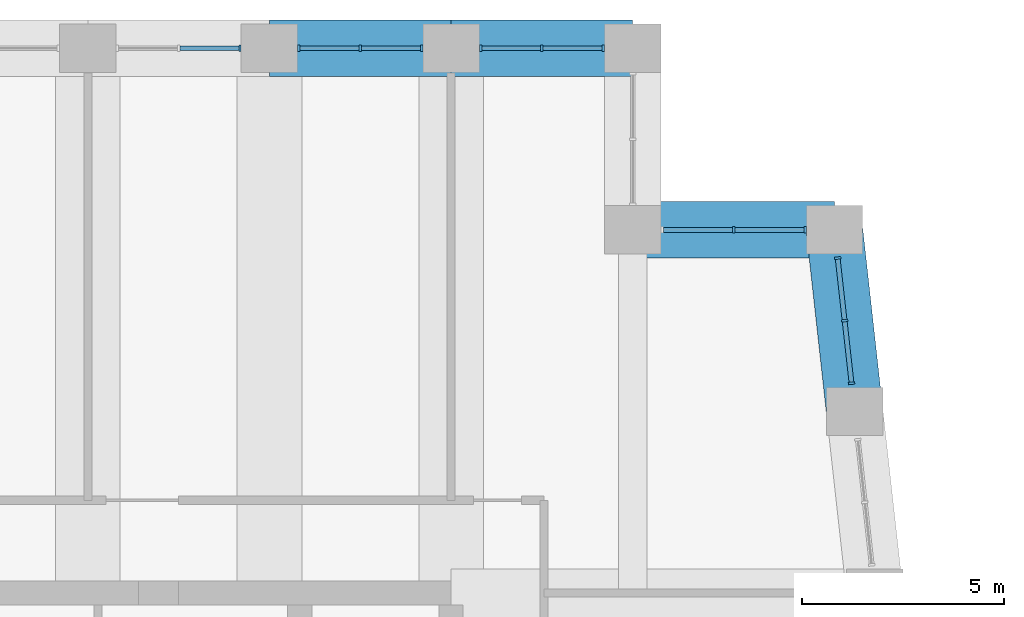
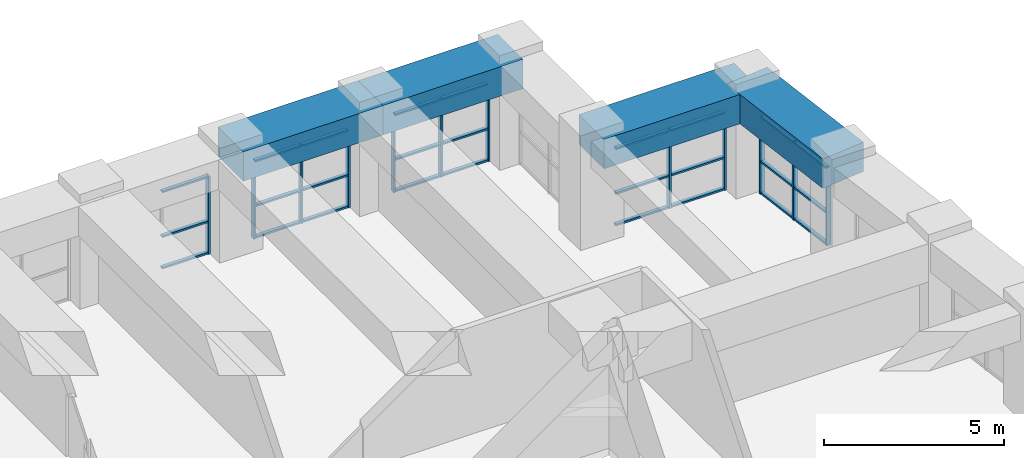
# One storey, part 9 of 15: 39 members, 4 beams, 5 elements without a shape of their own.
"""IFC4 building model written with IfcOpenShell, lengths in metres."""

from ifc_helpers import new_model, si_unit, direction, frame, origin, origin_2d, place, context, subcontext, project, spatial, rectangle, extrude, material, material_profile, profile_set, type_object, element, aggregate, save


model = new_model("IFC4")

# Units and contexts
model_context = context("Model", 3, precision=1e-05, world=origin(), true_north=direction((0.0, 1.0)))
body_context = subcontext(model_context, "Body", "Model", "MODEL_VIEW")
ifc_project = project(units=[si_unit("LENGTHUNIT", "METRE"), si_unit("AREAUNIT", "SQUARE_METRE"), si_unit("VOLUMEUNIT", "CUBIC_METRE"), si_unit("PLANEANGLEUNIT", "RADIAN"), si_unit("MASSUNIT", "GRAM", prefix="KILO")], contexts=[model_context])

# Site, building, storey
site_placement = place(None, origin())
site = spatial("IfcSite", under=ifc_project, at=site_placement, CompositionType="ELEMENT")
building_placement = place(site_placement, origin())
building = spatial("IfcBuilding", under=site, at=building_placement, Name="Kilele Tower Hotel", CompositionType="ELEMENT")
storey_placement = place(building_placement, frame((0.0, 0.0, 285.800048828125)))
storey = spatial("IfcBuildingStorey", under=building, at=storey_placement, Name="L73", CompositionType="ELEMENT", Elevation=285.800048828125)

# Curtain wall, members
ifc_material_1 = material(Name="Aluminium curtain wall, clear double glazing", Category="aluminium")
curtain_wall_type = type_object("IfcCurtainWallType", Name="Sky bar curtain wall CW-6", PredefinedType="NOTDEFINED", material=ifc_material_1)
curtain_wall_1_placement = place(storey_placement, origin())
curtain_wall_1 = element("IfcCurtainWall", 1, at=curtain_wall_1_placement, inside=storey, type_object=curtain_wall_type, Name="Sky bar curtain wall CW-6 L73", PredefinedType="NOTDEFINED")
ifc_material_2 = material(Name="Aluminium EN AW-6063 T6", Category="aluminium")
ifc_material_profile_1 = material_profile(ifc_material_2, rectangle(XDim=0.159912109375, YDim=0.06005859375, at=origin_2d()))
ifc_profile_set_1 = profile_set([ifc_material_profile_1], Name="Aluminium EN AW-6063 T6")
member_type_1 = type_object("IfcMemberType", Name="Mullion 60x160 CW-6", PredefinedType="MULLION", material=ifc_profile_set_1)
member_1_placement = place(storey_placement, frame((45.92236328125, 32.19921875, 0.0), z_axis=(0.0, 0.0, 1.0), x_axis=(-0.993883734681, -0.110431526007, 0.0)))
member_1 = element("IfcMember", 2, at=member_1_placement, type_object=member_type_1, Name="CW-6 mullion 1", PredefinedType="MULLION", context=body_context, shape_type="SweptSolid", body=[
    extrude(rectangle(XDim=0.159912109375, YDim=0.06005859375, at=origin_2d()), origin(), (0.0, 0.0, 1.0), 2.64990234375),
])
member_2_placement = place(storey_placement, frame((45.75, 33.75, 0.0), z_axis=(0.0, 0.0, 1.0), x_axis=(-0.993883734681, -0.110431526007, 0.0)))
member_2 = element("IfcMember", 3, at=member_2_placement, type_object=member_type_1, Name="CW-6 mullion 2", PredefinedType="MULLION", context=body_context, shape_type="SweptSolid", body=[
    extrude(rectangle(XDim=0.159912109375, YDim=0.06005859375, at=origin_2d()), origin(), (0.0, 0.0, 1.0), 2.64990234375),
])
member_3_placement = place(storey_placement, frame((45.57763671875, 35.30078125, 0.0), z_axis=(0.0, 0.0, 1.0), x_axis=(-0.993883734681, -0.110431526007, 0.0)))
member_3 = element("IfcMember", 4, at=member_3_placement, type_object=member_type_1, Name="CW-6 mullion 3", PredefinedType="MULLION", context=body_context, shape_type="SweptSolid", body=[
    extrude(rectangle(XDim=0.159912109375, YDim=0.06005859375, at=origin_2d()), origin(), (0.0, 0.0, 1.0), 2.64990234375),
])

curtain_wall_2_placement = place(storey_placement, origin())
curtain_wall_2 = element("IfcCurtainWall", 5, at=curtain_wall_2_placement, inside=storey, type_object=curtain_wall_type, Name="Sky bar curtain wall CW-6 L73", PredefinedType="NOTDEFINED")
member_4_placement = place(storey_placement, frame((44.77001953125, 36.0, 0.0), z_axis=(0.0, 0.0, 1.0), x_axis=(0.0, -1.0, 0.0)))
member_4 = element("IfcMember", 6, at=member_4_placement, type_object=member_type_1, Name="CW-6 mullion 1", PredefinedType="MULLION", context=body_context, shape_type="SweptSolid", body=[
    extrude(rectangle(XDim=0.159912109375, YDim=0.06005859375, at=origin_2d()), origin(), (0.0, 0.0, 1.0), 2.64990234375),
])
member_5_placement = place(storey_placement, frame((43.0, 36.0, 0.0), z_axis=(0.0, 0.0, 1.0), x_axis=(0.0, -1.0, 0.0)))
member_5 = element("IfcMember", 7, at=member_5_placement, type_object=member_type_1, Name="CW-6 mullion 2", PredefinedType="MULLION", context=body_context, shape_type="SweptSolid", body=[
    extrude(rectangle(XDim=0.159912109375, YDim=0.06005859375, at=origin_2d()), origin(), (0.0, 0.0, 1.0), 2.64990234375),
])

curtain_wall_3_placement = place(storey_placement, origin())
curtain_wall_3 = element("IfcCurtainWall", 8, at=curtain_wall_3_placement, inside=storey, type_object=curtain_wall_type, Name="Sky bar curtain wall CW-6 L73", PredefinedType="NOTDEFINED")
member_6_placement = place(storey_placement, frame((39.77001953125, 40.5, 0.0), z_axis=(0.0, 0.0, 1.0), x_axis=(0.0, -1.0, 0.0)))
member_6 = element("IfcMember", 9, at=member_6_placement, type_object=member_type_1, Name="CW-6 mullion 1", PredefinedType="MULLION", context=body_context, shape_type="SweptSolid", body=[
    extrude(rectangle(XDim=0.159912109375, YDim=0.06005859375, at=origin_2d()), origin(), (0.0, 0.0, 1.0), 2.64990234375),
])
member_7_placement = place(storey_placement, frame((38.25, 40.5, 0.0), z_axis=(0.0, 0.0, 1.0), x_axis=(0.0, -1.0, 0.0)))
member_7 = element("IfcMember", 10, at=member_7_placement, type_object=member_type_1, Name="CW-6 mullion 2", PredefinedType="MULLION", context=body_context, shape_type="SweptSolid", body=[
    extrude(rectangle(XDim=0.159912109375, YDim=0.06005859375, at=origin_2d()), origin(), (0.0, 0.0, 1.0), 2.64990234375),
])
member_8_placement = place(storey_placement, frame((36.72998046875, 40.5, 0.0), z_axis=(0.0, 0.0, 1.0), x_axis=(0.0, -1.0, 0.0)))
member_8 = element("IfcMember", 11, at=member_8_placement, type_object=member_type_1, Name="CW-6 mullion 3", PredefinedType="MULLION", context=body_context, shape_type="SweptSolid", body=[
    extrude(rectangle(XDim=0.159912109375, YDim=0.06005859375, at=origin_2d()), origin(), (0.0, 0.0, 1.0), 2.64990234375),
])

curtain_wall_4_placement = place(storey_placement, origin())
curtain_wall_4 = element("IfcCurtainWall", 12, at=curtain_wall_4_placement, inside=storey, type_object=curtain_wall_type, Name="Sky bar curtain wall CW-6 L73", PredefinedType="NOTDEFINED")
member_9_placement = place(storey_placement, frame((35.27001953125, 40.5, 0.0), z_axis=(0.0, 0.0, 1.0), x_axis=(0.0, -1.0, 0.0)))
member_9 = element("IfcMember", 13, at=member_9_placement, type_object=member_type_1, Name="CW-6 mullion 1", PredefinedType="MULLION", context=body_context, shape_type="SweptSolid", body=[
    extrude(rectangle(XDim=0.159912109375, YDim=0.06005859375, at=origin_2d()), origin(), (0.0, 0.0, 1.0), 2.64990234375),
])
member_10_placement = place(storey_placement, frame((33.75, 40.5, 0.0), z_axis=(0.0, 0.0, 1.0), x_axis=(0.0, -1.0, 0.0)))
member_10 = element("IfcMember", 14, at=member_10_placement, type_object=member_type_1, Name="CW-6 mullion 2", PredefinedType="MULLION", context=body_context, shape_type="SweptSolid", body=[
    extrude(rectangle(XDim=0.159912109375, YDim=0.06005859375, at=origin_2d()), origin(), (0.0, 0.0, 1.0), 2.64990234375),
])
member_11_placement = place(storey_placement, frame((32.22998046875, 40.5, 0.0), z_axis=(0.0, 0.0, 1.0), x_axis=(0.0, -1.0, 0.0)))
member_11 = element("IfcMember", 15, at=member_11_placement, type_object=member_type_1, Name="CW-6 mullion 3", PredefinedType="MULLION", context=body_context, shape_type="SweptSolid", body=[
    extrude(rectangle(XDim=0.159912109375, YDim=0.06005859375, at=origin_2d()), origin(), (0.0, 0.0, 1.0), 2.64990234375),
])

# Curtain wall, member
curtain_wall_5_placement = place(storey_placement, origin())
curtain_wall_5 = element("IfcCurtainWall", 16, at=curtain_wall_5_placement, inside=storey, type_object=curtain_wall_type, Name="Sky bar curtain wall CW-6 L73", PredefinedType="NOTDEFINED")
member_12_placement = place(storey_placement, frame((30.77001953125, 40.5, 0.0), z_axis=(0.0, 0.0, 1.0), x_axis=(0.0, -1.0, 0.0)))
member_12 = element("IfcMember", 17, at=member_12_placement, type_object=member_type_1, Name="CW-6 mullion 1", PredefinedType="MULLION", context=body_context, shape_type="SweptSolid", body=[
    extrude(rectangle(XDim=0.159912109375, YDim=0.06005859375, at=origin_2d()), origin(), (0.0, 0.0, 1.0), 2.64990234375),
])

# Beams
ifc_material_3 = material(Name="Concrete C60/75", Category="concrete")
ifc_material_profile_2 = material_profile(ifc_material_3, rectangle(XDim=1.39990234375, YDim=1.0, at=origin_2d()))
ifc_profile_set_2 = profile_set([ifc_material_profile_2], Name="Concrete C60/75")
beam_type = type_object("IfcBeamType", Name="Spandrel RC 1400x1000 C60/75", PredefinedType="SPANDREL", material=ifc_profile_set_2)
beam_1_placement = place(storey_placement, frame((46.0, 31.5, 3.099853515625), z_axis=(-0.110431526075, 0.993883734674, 0.0), x_axis=(-0.993883734674, -0.110431526075, 0.0)))
element("IfcBeam", 18, at=beam_1_placement, inside=storey, type_object=beam_type, Name="Spandrel SP1 level CROWN", PredefinedType="SPANDREL", context=body_context, shape_type="SweptSolid", body=[
    extrude(rectangle(XDim=1.39990234375, YDim=1.0, at=origin_2d()), origin(), (0.0, 0.0, 1.0), 4.527587890625),
])
beam_2_placement = place(storey_placement, frame((45.5, 36.0, 3.099853515625), z_axis=(-1.0, 0.0, 0.0), x_axis=(0.0, -1.0, 0.0)))
element("IfcBeam", 19, at=beam_2_placement, inside=storey, type_object=beam_type, Name="Spandrel SP1 level CROWN", PredefinedType="SPANDREL", context=body_context, shape_type="SweptSolid", body=[
    extrude(rectangle(XDim=1.39990234375, YDim=1.0, at=origin_2d()), origin(), (0.0, 0.0, 1.0), 5.0),
])
for number, where, z_axis, x_axis, name in (
    (20, (40.5, 40.5, 3.099853515625), (-1.0, 0.0, 0.0), (0.0, -1.0, 0.0), "Spandrel SP1 level CROWN"),
    (21, (36.0, 40.5, 3.099853515625), (-1.0, 0.0, 0.0), (0.0, -1.0, 0.0), "Spandrel SP1 level CROWN"),
):
    element("IfcBeam", number, at=place(storey_placement, frame(where, z_axis=z_axis, x_axis=x_axis)), inside=storey, type_object=beam_type, Name=name, PredefinedType="SPANDREL", context=body_context, shape_type="SweptSolid", body=[
        extrude(rectangle(XDim=1.39990234375, YDim=1.0, at=origin_2d()), origin(), (0.0, 0.0, 1.0), 4.5),
    ])

# Member
ifc_material_4 = material(Name="Aluminium EN AW-6063 T6", Category="aluminium")
ifc_material_profile_3 = material_profile(ifc_material_4, rectangle(XDim=0.1201171875, YDim=0.06005859375, at=origin_2d()))
ifc_profile_set_3 = profile_set([ifc_material_profile_3], Name="Aluminium EN AW-6063 T6")
member_type_2 = type_object("IfcMemberType", Name="Transom 60x120 CW-6", PredefinedType="USERDEFINED", material=ifc_profile_set_3)
member_13_placement = place(storey_placement, frame((45.9189453125, 32.229248046875, 0.030029296875), z_axis=(-0.110342213455, 0.993893654236, 0.0), x_axis=(-0.993893654236, -0.110342213455, 0.0)))
member_13 = element("IfcMember", 22, at=member_13_placement, type_object=member_type_2, Name="CW-6 transom 1.1", ObjectType="TRANSOM", PredefinedType="USERDEFINED", context=body_context, shape_type="SweptSolid", body=[
    extrude(rectangle(XDim=0.1201171875, YDim=0.06005859375, at=origin_2d()), origin(), (0.0, 0.0, 1.0), 1.500244140625),
])

member_14_placement = place(storey_placement, frame((45.9189453125, 32.229248046875, 1.099853515625), z_axis=(-0.110342213455, 0.993893654236, 0.0), x_axis=(-0.993893654236, -0.110342213455, 0.0)))
member_14 = element("IfcMember", 23, at=member_14_placement, type_object=member_type_2, Name="CW-6 transom 1.2", ObjectType="TRANSOM", PredefinedType="USERDEFINED", context=body_context, shape_type="SweptSolid", body=[
    extrude(rectangle(XDim=0.1201171875, YDim=0.06005859375, at=origin_2d()), origin(), (0.0, 0.0, 1.0), 1.500244140625),
])

member_15_placement = place(storey_placement, frame((45.9189453125, 32.229248046875, 2.619873046875), z_axis=(-0.110342213455, 0.993893654236, 0.0), x_axis=(-0.993893654236, -0.110342213455, 0.0)))
member_15 = element("IfcMember", 24, at=member_15_placement, type_object=member_type_2, Name="CW-6 transom 1.3", ObjectType="TRANSOM", PredefinedType="USERDEFINED", context=body_context, shape_type="SweptSolid", body=[
    extrude(rectangle(XDim=0.1201171875, YDim=0.06005859375, at=origin_2d()), origin(), (0.0, 0.0, 1.0), 1.500244140625),
])

member_16_placement = place(storey_placement, frame((45.74658203125, 33.77978515625, 0.030029296875), z_axis=(-0.110342213455, 0.993893654236, 0.0), x_axis=(-0.993893654236, -0.110342213455, 0.0)))
member_16 = element("IfcMember", 25, at=member_16_placement, type_object=member_type_2, Name="CW-6 transom 2.1", ObjectType="TRANSOM", PredefinedType="USERDEFINED", context=body_context, shape_type="SweptSolid", body=[
    extrude(rectangle(XDim=0.1201171875, YDim=0.06005859375, at=origin_2d()), origin(), (0.0, 0.0, 1.0), 1.500244140625),
])

member_17_placement = place(storey_placement, frame((45.74658203125, 33.77978515625, 1.099853515625), z_axis=(-0.110342213455, 0.993893654236, 0.0), x_axis=(-0.993893654236, -0.110342213455, 0.0)))
member_17 = element("IfcMember", 26, at=member_17_placement, type_object=member_type_2, Name="CW-6 transom 2.2", ObjectType="TRANSOM", PredefinedType="USERDEFINED", context=body_context, shape_type="SweptSolid", body=[
    extrude(rectangle(XDim=0.1201171875, YDim=0.06005859375, at=origin_2d()), origin(), (0.0, 0.0, 1.0), 1.500244140625),
])

member_18_placement = place(storey_placement, frame((45.74658203125, 33.77978515625, 2.619873046875), z_axis=(-0.110342213455, 0.993893654236, 0.0), x_axis=(-0.993893654236, -0.110342213455, 0.0)))
member_18 = element("IfcMember", 27, at=member_18_placement, type_object=member_type_2, Name="CW-6 transom 2.3", ObjectType="TRANSOM", PredefinedType="USERDEFINED", context=body_context, shape_type="SweptSolid", body=[
    extrude(rectangle(XDim=0.1201171875, YDim=0.06005859375, at=origin_2d()), origin(), (0.0, 0.0, 1.0), 1.500244140625),
])

aggregate(curtain_wall_1, [member_1, member_2, member_3, member_13, member_14, member_15, member_16, member_17, member_18])

member_19_placement = place(storey_placement, frame((44.739990234375, 36.0, 0.030029296875), z_axis=(-1.0, 0.0, 0.0), x_axis=(0.0, -1.0, 0.0)))
member_19 = element("IfcMember", 28, at=member_19_placement, type_object=member_type_2, Name="CW-6 transom 1.1", ObjectType="TRANSOM", PredefinedType="USERDEFINED", context=body_context, shape_type="SweptSolid", body=[
    extrude(rectangle(XDim=0.1201171875, YDim=0.06005859375, at=origin_2d()), origin(), (0.0, 0.0, 1.0), 1.7099609375),
])

member_20_placement = place(storey_placement, frame((44.739990234375, 36.0, 1.099853515625), z_axis=(-1.0, 0.0, 0.0), x_axis=(0.0, -1.0, 0.0)))
member_20 = element("IfcMember", 29, at=member_20_placement, type_object=member_type_2, Name="CW-6 transom 1.2", ObjectType="TRANSOM", PredefinedType="USERDEFINED", context=body_context, shape_type="SweptSolid", body=[
    extrude(rectangle(XDim=0.1201171875, YDim=0.06005859375, at=origin_2d()), origin(), (0.0, 0.0, 1.0), 1.7099609375),
])

member_21_placement = place(storey_placement, frame((44.739990234375, 36.0, 2.619873046875), z_axis=(-1.0, 0.0, 0.0), x_axis=(0.0, -1.0, 0.0)))
member_21 = element("IfcMember", 30, at=member_21_placement, type_object=member_type_2, Name="CW-6 transom 1.3", ObjectType="TRANSOM", PredefinedType="USERDEFINED", context=body_context, shape_type="SweptSolid", body=[
    extrude(rectangle(XDim=0.1201171875, YDim=0.06005859375, at=origin_2d()), origin(), (0.0, 0.0, 1.0), 1.7099609375),
])

member_22_placement = place(storey_placement, frame((42.969970703125, 36.0, 0.030029296875), z_axis=(-1.0, 0.0, 0.0), x_axis=(0.0, -1.0, 0.0)))
member_22 = element("IfcMember", 31, at=member_22_placement, type_object=member_type_2, Name="CW-6 transom 2.1", ObjectType="TRANSOM", PredefinedType="USERDEFINED", context=body_context, shape_type="SweptSolid", body=[
    extrude(rectangle(XDim=0.1201171875, YDim=0.06005859375, at=origin_2d()), origin(), (0.0, 0.0, 1.0), 1.7099609375),
])

member_23_placement = place(storey_placement, frame((42.969970703125, 36.0, 1.099853515625), z_axis=(-1.0, 0.0, 0.0), x_axis=(0.0, -1.0, 0.0)))
member_23 = element("IfcMember", 32, at=member_23_placement, type_object=member_type_2, Name="CW-6 transom 2.2", ObjectType="TRANSOM", PredefinedType="USERDEFINED", context=body_context, shape_type="SweptSolid", body=[
    extrude(rectangle(XDim=0.1201171875, YDim=0.06005859375, at=origin_2d()), origin(), (0.0, 0.0, 1.0), 1.7099609375),
])

member_24_placement = place(storey_placement, frame((42.969970703125, 36.0, 2.619873046875), z_axis=(-1.0, 0.0, 0.0), x_axis=(0.0, -1.0, 0.0)))
member_24 = element("IfcMember", 33, at=member_24_placement, type_object=member_type_2, Name="CW-6 transom 2.3", ObjectType="TRANSOM", PredefinedType="USERDEFINED", context=body_context, shape_type="SweptSolid", body=[
    extrude(rectangle(XDim=0.1201171875, YDim=0.06005859375, at=origin_2d()), origin(), (0.0, 0.0, 1.0), 1.7099609375),
])

aggregate(curtain_wall_2, [member_4, member_5, member_19, member_20, member_21, member_22, member_23, member_24])

member_25_placement = place(storey_placement, frame((39.739990234375, 40.5, 0.030029296875), z_axis=(-1.0, 0.0, 0.0), x_axis=(0.0, -1.0, 0.0)))
member_25 = element("IfcMember", 34, at=member_25_placement, type_object=member_type_2, Name="CW-6 transom 1.1", ObjectType="TRANSOM", PredefinedType="USERDEFINED", context=body_context, shape_type="SweptSolid", body=[
    extrude(rectangle(XDim=0.1201171875, YDim=0.06005859375, at=origin_2d()), origin(), (0.0, 0.0, 1.0), 1.4599609375),
])

member_26_placement = place(storey_placement, frame((39.739990234375, 40.5, 1.099853515625), z_axis=(-1.0, 0.0, 0.0), x_axis=(0.0, -1.0, 0.0)))
member_26 = element("IfcMember", 35, at=member_26_placement, type_object=member_type_2, Name="CW-6 transom 1.2", ObjectType="TRANSOM", PredefinedType="USERDEFINED", context=body_context, shape_type="SweptSolid", body=[
    extrude(rectangle(XDim=0.1201171875, YDim=0.06005859375, at=origin_2d()), origin(), (0.0, 0.0, 1.0), 1.4599609375),
])

member_27_placement = place(storey_placement, frame((39.739990234375, 40.5, 2.619873046875), z_axis=(-1.0, 0.0, 0.0), x_axis=(0.0, -1.0, 0.0)))
member_27 = element("IfcMember", 36, at=member_27_placement, type_object=member_type_2, Name="CW-6 transom 1.3", ObjectType="TRANSOM", PredefinedType="USERDEFINED", context=body_context, shape_type="SweptSolid", body=[
    extrude(rectangle(XDim=0.1201171875, YDim=0.06005859375, at=origin_2d()), origin(), (0.0, 0.0, 1.0), 1.4599609375),
])

member_28_placement = place(storey_placement, frame((38.219970703125, 40.5, 0.030029296875), z_axis=(-1.0, 0.0, 0.0), x_axis=(0.0, -1.0, 0.0)))
member_28 = element("IfcMember", 37, at=member_28_placement, type_object=member_type_2, Name="CW-6 transom 2.1", ObjectType="TRANSOM", PredefinedType="USERDEFINED", context=body_context, shape_type="SweptSolid", body=[
    extrude(rectangle(XDim=0.1201171875, YDim=0.06005859375, at=origin_2d()), origin(), (0.0, 0.0, 1.0), 1.4599609375),
])

member_29_placement = place(storey_placement, frame((38.219970703125, 40.5, 1.099853515625), z_axis=(-1.0, 0.0, 0.0), x_axis=(0.0, -1.0, 0.0)))
member_29 = element("IfcMember", 38, at=member_29_placement, type_object=member_type_2, Name="CW-6 transom 2.2", ObjectType="TRANSOM", PredefinedType="USERDEFINED", context=body_context, shape_type="SweptSolid", body=[
    extrude(rectangle(XDim=0.1201171875, YDim=0.06005859375, at=origin_2d()), origin(), (0.0, 0.0, 1.0), 1.4599609375),
])

member_30_placement = place(storey_placement, frame((38.219970703125, 40.5, 2.619873046875), z_axis=(-1.0, 0.0, 0.0), x_axis=(0.0, -1.0, 0.0)))
member_30 = element("IfcMember", 39, at=member_30_placement, type_object=member_type_2, Name="CW-6 transom 2.3", ObjectType="TRANSOM", PredefinedType="USERDEFINED", context=body_context, shape_type="SweptSolid", body=[
    extrude(rectangle(XDim=0.1201171875, YDim=0.06005859375, at=origin_2d()), origin(), (0.0, 0.0, 1.0), 1.4599609375),
])

aggregate(curtain_wall_3, [member_6, member_7, member_8, member_25, member_26, member_27, member_28, member_29, member_30])

member_31_placement = place(storey_placement, frame((35.239990234375, 40.5, 0.030029296875), z_axis=(-1.0, 0.0, 0.0), x_axis=(0.0, -1.0, 0.0)))
member_31 = element("IfcMember", 40, at=member_31_placement, type_object=member_type_2, Name="CW-6 transom 1.1", ObjectType="TRANSOM", PredefinedType="USERDEFINED", context=body_context, shape_type="SweptSolid", body=[
    extrude(rectangle(XDim=0.1201171875, YDim=0.06005859375, at=origin_2d()), origin(), (0.0, 0.0, 1.0), 1.4599609375),
])

member_32_placement = place(storey_placement, frame((35.239990234375, 40.5, 1.099853515625), z_axis=(-1.0, 0.0, 0.0), x_axis=(0.0, -1.0, 0.0)))
member_32 = element("IfcMember", 41, at=member_32_placement, type_object=member_type_2, Name="CW-6 transom 1.2", ObjectType="TRANSOM", PredefinedType="USERDEFINED", context=body_context, shape_type="SweptSolid", body=[
    extrude(rectangle(XDim=0.1201171875, YDim=0.06005859375, at=origin_2d()), origin(), (0.0, 0.0, 1.0), 1.4599609375),
])

member_33_placement = place(storey_placement, frame((35.239990234375, 40.5, 2.619873046875), z_axis=(-1.0, 0.0, 0.0), x_axis=(0.0, -1.0, 0.0)))
member_33 = element("IfcMember", 42, at=member_33_placement, type_object=member_type_2, Name="CW-6 transom 1.3", ObjectType="TRANSOM", PredefinedType="USERDEFINED", context=body_context, shape_type="SweptSolid", body=[
    extrude(rectangle(XDim=0.1201171875, YDim=0.06005859375, at=origin_2d()), origin(), (0.0, 0.0, 1.0), 1.4599609375),
])

member_34_placement = place(storey_placement, frame((33.719970703125, 40.5, 0.030029296875), z_axis=(-1.0, 0.0, 0.0), x_axis=(0.0, -1.0, 0.0)))
member_34 = element("IfcMember", 43, at=member_34_placement, type_object=member_type_2, Name="CW-6 transom 2.1", ObjectType="TRANSOM", PredefinedType="USERDEFINED", context=body_context, shape_type="SweptSolid", body=[
    extrude(rectangle(XDim=0.1201171875, YDim=0.06005859375, at=origin_2d()), origin(), (0.0, 0.0, 1.0), 1.4599609375),
])

member_35_placement = place(storey_placement, frame((33.719970703125, 40.5, 1.099853515625), z_axis=(-1.0, 0.0, 0.0), x_axis=(0.0, -1.0, 0.0)))
member_35 = element("IfcMember", 44, at=member_35_placement, type_object=member_type_2, Name="CW-6 transom 2.2", ObjectType="TRANSOM", PredefinedType="USERDEFINED", context=body_context, shape_type="SweptSolid", body=[
    extrude(rectangle(XDim=0.1201171875, YDim=0.06005859375, at=origin_2d()), origin(), (0.0, 0.0, 1.0), 1.4599609375),
])

member_36_placement = place(storey_placement, frame((33.719970703125, 40.5, 2.619873046875), z_axis=(-1.0, 0.0, 0.0), x_axis=(0.0, -1.0, 0.0)))
member_36 = element("IfcMember", 45, at=member_36_placement, type_object=member_type_2, Name="CW-6 transom 2.3", ObjectType="TRANSOM", PredefinedType="USERDEFINED", context=body_context, shape_type="SweptSolid", body=[
    extrude(rectangle(XDim=0.1201171875, YDim=0.06005859375, at=origin_2d()), origin(), (0.0, 0.0, 1.0), 1.4599609375),
])

aggregate(curtain_wall_4, [member_9, member_10, member_11, member_31, member_32, member_33, member_34, member_35, member_36])

member_37_placement = place(storey_placement, frame((30.739990234375, 40.5, 0.030029296875), z_axis=(-1.0, 0.0, 0.0), x_axis=(0.0, -1.0, 0.0)))
member_37 = element("IfcMember", 46, at=member_37_placement, type_object=member_type_2, Name="CW-6 transom 1.1", ObjectType="TRANSOM", PredefinedType="USERDEFINED", context=body_context, shape_type="SweptSolid", body=[
    extrude(rectangle(XDim=0.1201171875, YDim=0.06005859375, at=origin_2d()), origin(), (0.0, 0.0, 1.0), 1.4599609375),
])

member_38_placement = place(storey_placement, frame((30.739990234375, 40.5, 1.099853515625), z_axis=(-1.0, 0.0, 0.0), x_axis=(0.0, -1.0, 0.0)))
member_38 = element("IfcMember", 47, at=member_38_placement, type_object=member_type_2, Name="CW-6 transom 1.2", ObjectType="TRANSOM", PredefinedType="USERDEFINED", context=body_context, shape_type="SweptSolid", body=[
    extrude(rectangle(XDim=0.1201171875, YDim=0.06005859375, at=origin_2d()), origin(), (0.0, 0.0, 1.0), 1.4599609375),
])

member_39_placement = place(storey_placement, frame((30.739990234375, 40.5, 2.619873046875), z_axis=(-1.0, 0.0, 0.0), x_axis=(0.0, -1.0, 0.0)))
member_39 = element("IfcMember", 48, at=member_39_placement, type_object=member_type_2, Name="CW-6 transom 1.3", ObjectType="TRANSOM", PredefinedType="USERDEFINED", context=body_context, shape_type="SweptSolid", body=[
    extrude(rectangle(XDim=0.1201171875, YDim=0.06005859375, at=origin_2d()), origin(), (0.0, 0.0, 1.0), 1.4599609375),
])

aggregate(curtain_wall_5, [member_12, member_37, member_38, member_39])

save(model, "model.ifc")
